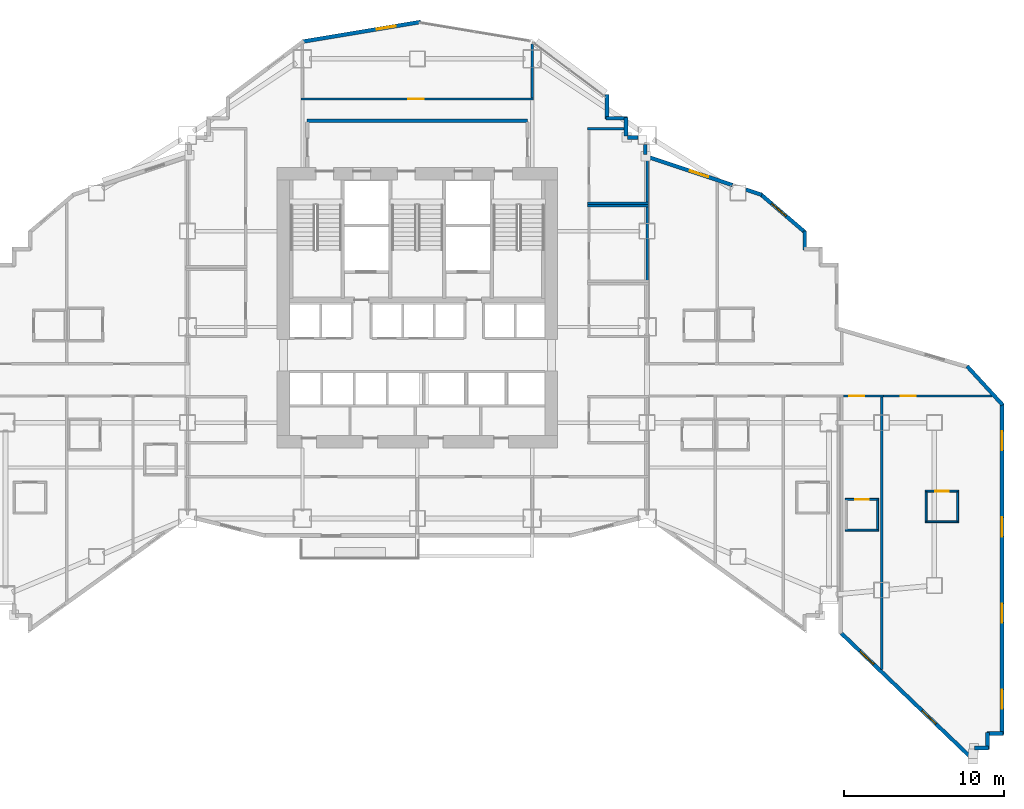
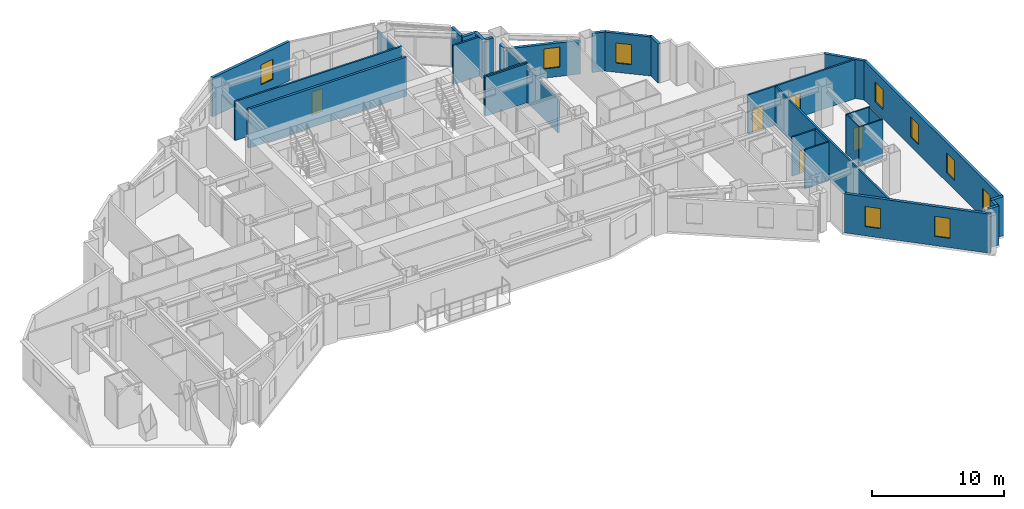
# One storey, part 11 of 17: 34 walls, 9 windows, 5 doors, 14 openings.
"""IFC4 building model written with IfcOpenShell, lengths in metres."""

from ifc_helpers import new_model, si_unit, direction, frame, frame_2d, origin, place, context, subcontext, project, spatial, rectangle, extrude, material, layer, layer_set, type_object, element, fill, save


model = new_model("IFC4")

# Units and contexts
model_context = context("Model", 3, precision=1e-05, world=origin(), true_north=direction((0.0, 1.0)))
body_context = subcontext(model_context, "Body", "Model", "MODEL_VIEW")
ifc_project = project(units=[si_unit("LENGTHUNIT", "METRE"), si_unit("AREAUNIT", "SQUARE_METRE"), si_unit("VOLUMEUNIT", "CUBIC_METRE"), si_unit("PLANEANGLEUNIT", "RADIAN"), si_unit("MASSUNIT", "GRAM", prefix="KILO")], contexts=[model_context])

# Site, building, storey
site_placement = place(None, origin())
site = spatial("IfcSite", under=ifc_project, at=site_placement, CompositionType="ELEMENT")
building_placement = place(site_placement, origin())
building = spatial("IfcBuilding", under=site, at=building_placement, Name="Haolan Belvedere Tower", CompositionType="ELEMENT")
storey_placement = place(building_placement, frame((0.0, 0.0, 55.199951171875)))
storey = spatial("IfcBuildingStorey", under=building, at=storey_placement, Name="L13", CompositionType="ELEMENT", Elevation=55.199951171875)

# Wall, openings, windows
ifc_material_1 = material(Name="Precast concrete C40/50", Category="concrete")
ifc_layer_1 = layer(ifc_material_1, 0.239990234375, Name="Precast concrete C40/50")
ifc_layer_set_1 = layer_set([ifc_layer_1], Name="Precast concrete C40/50")
wall_type_1 = type_object("IfcWallType", Name="WL-EXT-240", PredefinedType="SOLIDWALL", material=ifc_layer_set_1)
wall_1_placement = place(storey_placement, frame((64.977783203125, 14.39599609375, 0.0), z_axis=(0.0, 0.0, 1.0), x_axis=(0.722045918727, -0.691845135308, 0.0)))
wall_1 = element("IfcWall", 1, at=wall_1_placement, inside=storey, type_object=wall_type_1, Name="L13 pale-metal exterior spandrel wall 21.1", PredefinedType="SOLIDWALL", context=body_context, shape_type="SweptSolid", body=[
    extrude(rectangle(XDim=11.35791015625, YDim=0.239990234375, at=frame_2d((5.678955078125, 0.0))), origin(), (0.0, 0.0, 1.0), 3.60009765625),
])
opening_1_placement = place(wall_1_placement, frame((1.60009765625, 0.0, 0.85009765625)))
opening_1 = element("IfcOpeningElement", 2, at=opening_1_placement, cuts=wall_1, Name="Opening W-01", PredefinedType="OPENING", context=body_context, shape_type="SweptSolid", body=[
    extrude(rectangle(XDim=1.199951171875, YDim=1.85009765625, at=frame_2d((0.60009765625, 0.925048828125))), frame((0.0, 0.1298828125, 0.0), z_axis=(0.0, -1.0, 0.0), x_axis=(1.0, 0.0, 0.0)), (0.0, 0.0, 1.0), 0.260009765625),
])
opening_2_placement = place(wall_1_placement, frame((7.0, 0.0, 0.85009765625)))
opening_2 = element("IfcOpeningElement", 3, at=opening_2_placement, cuts=wall_1, Name="Opening W-01", PredefinedType="OPENING", context=body_context, shape_type="SweptSolid", body=[
    extrude(rectangle(XDim=1.199951171875, YDim=1.85009765625, at=frame_2d((0.60009765625, 0.925048828125))), frame((0.0, 0.1298828125, 0.0), z_axis=(0.0, -1.0, 0.0), x_axis=(1.0, 0.0, 0.0)), (0.0, 0.0, 1.0), 0.260009765625),
])
ifc_material_2 = material(Name="Anodised aluminium 6063-T6 and Low-E glass", Category="aluminium")
window_type = type_object("IfcWindowType", Name="WN-DECO-Z1", PartitioningType="SINGLE_PANEL", PredefinedType="WINDOW", material=ifc_material_2)
window_1_placement = place(opening_1_placement, origin())
window_1 = element("IfcWindow", 4, at=window_1_placement, inside=storey, type_object=window_type, Name="L13 Art Deco chevron window 1", OverallHeight=1.85009765625, OverallWidth=1.199951171875, PartitioningType="SINGLE_PANEL", PredefinedType="WINDOW", context=body_context, shape_type="SweptSolid", body=[
    extrude(rectangle(XDim=1.199951171875, YDim=1.85009765625, at=frame_2d((0.60009765625, 0.925048828125))), frame((0.0, 0.030029296875, 0.0), z_axis=(0.0, -1.0, 0.0), x_axis=(1.0, 0.0, 0.0)), (0.0, 0.0, 1.0), 0.06005859375),
])
fill(opening_1, window_1)
window_2_placement = place(opening_2_placement, origin())
window_2 = element("IfcWindow", 5, at=window_2_placement, inside=storey, type_object=window_type, Name="L13 Art Deco chevron window 2", OverallHeight=1.85009765625, OverallWidth=1.199951171875, PartitioningType="SINGLE_PANEL", PredefinedType="WINDOW", context=body_context, shape_type="SweptSolid", body=[
    extrude(rectangle(XDim=1.199951171875, YDim=1.85009765625, at=frame_2d((0.60009765625, 0.925048828125))), frame((0.0, 0.030029296875, 0.0), z_axis=(0.0, -1.0, 0.0), x_axis=(1.0, 0.0, 0.0)), (0.0, 0.0, 1.0), 0.06005859375),
])
fill(opening_2, window_2)

# Walls
wall_2_placement = place(storey_placement, frame((73.324951171875, 7.218017578125, 0.0), z_axis=(0.0, 0.0, 1.0), x_axis=(1.0, 0.0, 0.0)))
element("IfcWall", 6, at=wall_2_placement, inside=storey, type_object=wall_type_1, Name="L13 pale-metal exterior spandrel wall 23.1", PredefinedType="SOLIDWALL", context=body_context, shape_type="SweptSolid", body=[
    extrude(rectangle(XDim=0.8701171875, YDim=0.239990234375, at=frame_2d((0.43505859375, 0.0))), origin(), (0.0, 0.0, 1.0), 3.60009765625),
])
for number, where, z_axis, x_axis, name in (
    (7, (74.139892578125, 7.1630859375, 0.0), (0.0, 0.0, 1.0), (0.0, 1.0, 0.0), "L13 pale-metal exterior spandrel wall 24.1"),
    (8, (74.0849609375, 8.117919921875, 0.0), (0.0, 0.0, 1.0), (1.0, 0.0, 0.0), "L13 pale-metal exterior spandrel wall 25.1"),
):
    element("IfcWall", number, at=place(storey_placement, frame(where, z_axis=z_axis, x_axis=x_axis)), inside=storey, type_object=wall_type_1, Name=name, PredefinedType="SOLIDWALL", context=body_context, shape_type="SweptSolid", body=[
        extrude(rectangle(XDim=1.010009765625, YDim=0.239990234375, at=frame_2d((0.5048828125, 0.0))), origin(), (0.0, 0.0, 1.0), 3.60009765625),
    ])

# Wall, openings, windows
wall_3_placement = place(storey_placement, frame((75.0400390625, 8.06298828125, 0.0), z_axis=(0.0, 0.0, 1.0), x_axis=(0.0, 1.0, 0.0)))
wall_3 = element("IfcWall", 9, at=wall_3_placement, inside=storey, type_object=wall_type_1, Name="L13 pale-metal exterior spandrel wall 26.1", PredefinedType="SOLIDWALL", context=body_context, shape_type="SweptSolid", body=[
    extrude(rectangle(XDim=20.745361328125, YDim=0.239990234375, at=frame_2d((10.37255859375, 0.0))), origin(), (0.0, 0.0, 1.0), 3.60009765625),
])
opening_3_placement = place(wall_3_placement, frame((1.60009765625, 0.0, 0.85009765625)))
opening_3 = element("IfcOpeningElement", 10, at=opening_3_placement, cuts=wall_3, Name="Opening W-01", PredefinedType="OPENING", context=body_context, shape_type="SweptSolid", body=[
    extrude(rectangle(XDim=1.199951171875, YDim=1.85009765625, at=frame_2d((0.60009765625, 0.925048828125))), frame((0.0, 0.1298828125, 0.0), z_axis=(0.0, -1.0, 0.0), x_axis=(1.0, 0.0, 0.0)), (0.0, 0.0, 1.0), 0.260009765625),
])
opening_4_placement = place(wall_3_placement, frame((7.0, 0.0, 0.85009765625)))
opening_4 = element("IfcOpeningElement", 11, at=opening_4_placement, cuts=wall_3, Name="Opening W-01", PredefinedType="OPENING", context=body_context, shape_type="SweptSolid", body=[
    extrude(rectangle(XDim=1.199951171875, YDim=1.85009765625, at=frame_2d((0.60009765625, 0.925048828125))), frame((0.0, 0.1298828125, 0.0), z_axis=(0.0, -1.0, 0.0), x_axis=(1.0, 0.0, 0.0)), (0.0, 0.0, 1.0), 0.260009765625),
])
opening_5_placement = place(wall_3_placement, frame((12.39990234375, 0.0, 0.85009765625)))
opening_5 = element("IfcOpeningElement", 12, at=opening_5_placement, cuts=wall_3, Name="Opening W-01", PredefinedType="OPENING", context=body_context, shape_type="SweptSolid", body=[
    extrude(rectangle(XDim=1.199951171875, YDim=1.85009765625, at=frame_2d((0.60009765625, 0.925048828125))), frame((0.0, 0.1298828125, 0.0), z_axis=(0.0, -1.0, 0.0), x_axis=(1.0, 0.0, 0.0)), (0.0, 0.0, 1.0), 0.260009765625),
])
opening_6_placement = place(wall_3_placement, frame((17.800048828125, 0.0, 0.85009765625)))
opening_6 = element("IfcOpeningElement", 13, at=opening_6_placement, cuts=wall_3, Name="Opening W-01", PredefinedType="OPENING", context=body_context, shape_type="SweptSolid", body=[
    extrude(rectangle(XDim=1.199951171875, YDim=1.85009765625, at=frame_2d((0.60009765625, 0.925048828125))), frame((0.0, 0.1298828125, 0.0), z_axis=(0.0, -1.0, 0.0), x_axis=(1.0, 0.0, 0.0)), (0.0, 0.0, 1.0), 0.260009765625),
])
window_3_placement = place(opening_3_placement, origin())
window_3 = element("IfcWindow", 14, at=window_3_placement, inside=storey, type_object=window_type, Name="L13 Art Deco chevron window 1", OverallHeight=1.85009765625, OverallWidth=1.199951171875, PartitioningType="SINGLE_PANEL", PredefinedType="WINDOW", context=body_context, shape_type="SweptSolid", body=[
    extrude(rectangle(XDim=1.199951171875, YDim=1.85009765625, at=frame_2d((0.60009765625, 0.925048828125))), frame((0.0, 0.030029296875, 0.0), z_axis=(0.0, -1.0, 0.0), x_axis=(1.0, 0.0, 0.0)), (0.0, 0.0, 1.0), 0.06005859375),
])
fill(opening_3, window_3)
window_4_placement = place(opening_4_placement, origin())
window_4 = element("IfcWindow", 15, at=window_4_placement, inside=storey, type_object=window_type, Name="L13 Art Deco chevron window 2", OverallHeight=1.85009765625, OverallWidth=1.199951171875, PartitioningType="SINGLE_PANEL", PredefinedType="WINDOW", context=body_context, shape_type="SweptSolid", body=[
    extrude(rectangle(XDim=1.199951171875, YDim=1.85009765625, at=frame_2d((0.60009765625, 0.925048828125))), frame((0.0, 0.030029296875, 0.0), z_axis=(0.0, -1.0, 0.0), x_axis=(1.0, 0.0, 0.0)), (0.0, 0.0, 1.0), 0.06005859375),
])
fill(opening_4, window_4)
window_5_placement = place(opening_5_placement, origin())
window_5 = element("IfcWindow", 16, at=window_5_placement, inside=storey, type_object=window_type, Name="L13 Art Deco chevron window 3", OverallHeight=1.85009765625, OverallWidth=1.199951171875, PartitioningType="SINGLE_PANEL", PredefinedType="WINDOW", context=body_context, shape_type="SweptSolid", body=[
    extrude(rectangle(XDim=1.199951171875, YDim=1.85009765625, at=frame_2d((0.60009765625, 0.925048828125))), frame((0.0, 0.030029296875, 0.0), z_axis=(0.0, -1.0, 0.0), x_axis=(1.0, 0.0, 0.0)), (0.0, 0.0, 1.0), 0.06005859375),
])
fill(opening_5, window_5)
window_6_placement = place(opening_6_placement, origin())
window_6 = element("IfcWindow", 17, at=window_6_placement, inside=storey, type_object=window_type, Name="L13 Art Deco chevron window 4", OverallHeight=1.85009765625, OverallWidth=1.199951171875, PartitioningType="SINGLE_PANEL", PredefinedType="WINDOW", context=body_context, shape_type="SweptSolid", body=[
    extrude(rectangle(XDim=1.199951171875, YDim=1.85009765625, at=frame_2d((0.60009765625, 0.925048828125))), frame((0.0, 0.030029296875, 0.0), z_axis=(0.0, -1.0, 0.0), x_axis=(1.0, 0.0, 0.0)), (0.0, 0.0, 1.0), 0.06005859375),
])
fill(opening_6, window_6)

# Walls
wall_4_placement = place(storey_placement, frame((75.0771484375, 28.712890625, 0.0), z_axis=(0.0, 0.0, 1.0), x_axis=(-0.675751546976, 0.737129464042, 0.0)))
element("IfcWall", 18, at=wall_4_placement, inside=storey, type_object=wall_type_1, Name="L13 pale-metal exterior spandrel wall 27.1", PredefinedType="SOLIDWALL", context=body_context, shape_type="SweptSolid", body=[
    extrude(rectangle(XDim=3.28564453125, YDim=0.239990234375, at=frame_2d((1.642822265625, 0.0))), origin(), (0.0, 0.0, 1.0), 3.60009765625),
])
wall_5_placement = place(storey_placement, frame((62.679931640625, 38.425048828125, 0.0), z_axis=(0.0, 0.0, 1.0), x_axis=(0.0, 1.0, 0.0)))
element("IfcWall", 19, at=wall_5_placement, inside=storey, type_object=wall_type_1, Name="L13 pale-metal exterior spandrel wall 33.1", PredefinedType="SOLIDWALL", context=body_context, shape_type="SweptSolid", body=[
    extrude(rectangle(XDim=1.1748046875, YDim=0.239990234375, at=frame_2d((0.58740234375, 0.0))), origin(), (0.0, 0.0, 1.0), 3.60009765625),
])

# Wall, opening, window
wall_6_placement = place(storey_placement, frame((62.7216796875, 39.509033203125, 0.0), z_axis=(0.0, 0.0, 1.0), x_axis=(-0.759247334792, 0.650802185469, 0.0)))
wall_6 = element("IfcWall", 20, at=wall_6_placement, inside=storey, type_object=wall_type_1, Name="L13 pale-metal exterior spandrel wall 34.1", PredefinedType="SOLIDWALL", context=body_context, shape_type="SweptSolid", body=[
    extrude(rectangle(XDim=3.71923828125, YDim=0.239990234375, at=frame_2d((1.859619140625, 0.0))), origin(), (0.0, 0.0, 1.0), 3.60009765625),
])
opening_7_placement = place(wall_6_placement, frame((1.60009765625, 0.0, 0.85009765625)))
opening_7 = element("IfcOpeningElement", 21, at=opening_7_placement, cuts=wall_6, Name="Opening W-01", PredefinedType="OPENING", context=body_context, shape_type="SweptSolid", body=[
    extrude(rectangle(XDim=1.199951171875, YDim=1.85009765625, at=frame_2d((0.60009765625, 0.925048828125))), frame((0.0, 0.1298828125, 0.0), z_axis=(0.0, -1.0, 0.0), x_axis=(1.0, 0.0, 0.0)), (0.0, 0.0, 1.0), 0.260009765625),
])
window_7_placement = place(opening_7_placement, origin())
window_7 = element("IfcWindow", 22, at=window_7_placement, inside=storey, type_object=window_type, Name="L13 Art Deco chevron window 1", OverallHeight=1.85009765625, OverallWidth=1.199951171875, PartitioningType="SINGLE_PANEL", PredefinedType="WINDOW", context=body_context, shape_type="SweptSolid", body=[
    extrude(rectangle(XDim=1.199951171875, YDim=1.85009765625, at=frame_2d((0.60009765625, 0.925048828125))), frame((0.0, 0.030029296875, 0.0), z_axis=(0.0, -1.0, 0.0), x_axis=(1.0, 0.0, 0.0)), (0.0, 0.0, 1.0), 0.06005859375),
])
fill(opening_7, window_7)

# Wall
wall_7_placement = place(storey_placement, frame((59.991943359375, 41.876220703125, 0.0), z_axis=(0.0, 0.0, 1.0), x_axis=(-0.948706457285, 0.316158279832, 0.0)))
element("IfcWall", 23, at=wall_7_placement, inside=storey, type_object=wall_type_1, Name="L13 pale-metal exterior spandrel wall 35.1", PredefinedType="SOLIDWALL", context=body_context, shape_type="SweptSolid", body=[
    extrude(rectangle(XDim=1.053955078125, YDim=0.239990234375, at=frame_2d((0.52685546875, 0.0))), origin(), (0.0, 0.0, 1.0), 3.60009765625),
])

# Wall, opening, window
wall_8_placement = place(storey_placement, frame((58.14453125, 42.491943359375, 0.0), z_axis=(0.0, 0.0, 1.0), x_axis=(-0.948683298051, 0.316227766017, 0.0)))
wall_8 = element("IfcWall", 24, at=wall_8_placement, inside=storey, type_object=wall_type_1, Name="L13 pale-metal exterior spandrel wall 35.2", PredefinedType="SOLIDWALL", context=body_context, shape_type="SweptSolid", body=[
    extrude(rectangle(XDim=5.67529296875, YDim=0.239990234375, at=frame_2d((2.837646484375, 0.0))), origin(), (0.0, 0.0, 1.0), 3.09716796875),
])
opening_8_placement = place(wall_8_placement, frame((1.60009765625, 0.0, 0.85009765625)))
opening_8 = element("IfcOpeningElement", 25, at=opening_8_placement, cuts=wall_8, Name="Opening W-01", PredefinedType="OPENING", context=body_context, shape_type="SweptSolid", body=[
    extrude(rectangle(XDim=1.199951171875, YDim=1.85009765625, at=frame_2d((0.60009765625, 0.925048828125))), frame((0.0, 0.1298828125, 0.0), z_axis=(0.0, -1.0, 0.0), x_axis=(1.0, 0.0, 0.0)), (0.0, 0.0, 1.0), 0.260009765625),
])
window_8_placement = place(opening_8_placement, origin())
window_8 = element("IfcWindow", 26, at=window_8_placement, inside=storey, type_object=window_type, Name="L13 Art Deco chevron window 1", OverallHeight=1.85009765625, OverallWidth=1.199951171875, PartitioningType="SINGLE_PANEL", PredefinedType="WINDOW", context=body_context, shape_type="SweptSolid", body=[
    extrude(rectangle(XDim=1.199951171875, YDim=1.85009765625, at=frame_2d((0.60009765625, 0.925048828125))), frame((0.0, 0.030029296875, 0.0), z_axis=(0.0, -1.0, 0.0), x_axis=(1.0, 0.0, 0.0)), (0.0, 0.0, 1.0), 0.06005859375),
])
fill(opening_8, window_8)

# Walls
wall_9_placement = place(storey_placement, frame((52.679931640625, 44.3984375, 0.0), z_axis=(0.0, 0.0, 1.0), x_axis=(0.0, 1.0, 0.0)))
element("IfcWall", 27, at=wall_9_placement, inside=storey, type_object=wall_type_1, Name="L13 pale-metal exterior spandrel wall 36.1", PredefinedType="SOLIDWALL", context=body_context, shape_type="SweptSolid", body=[
    extrude(rectangle(XDim=0.634521484375, YDim=0.239990234375, at=frame_2d((0.3173828125, 0.0))), origin(), (0.0, 0.0, 1.0), 3.09716796875),
])
wall_10_placement = place(storey_placement, frame((52.23291015625, 45.47998046875, 0.0), z_axis=(0.0, 0.0, 1.0), x_axis=(-1.0, 0.0, 0.0)))
element("IfcWall", 28, at=wall_10_placement, inside=storey, type_object=wall_type_1, Name="L13 pale-metal exterior spandrel wall 37.1", PredefinedType="SOLIDWALL", context=body_context, shape_type="SweptSolid", body=[
    extrude(rectangle(XDim=0.66796875, YDim=0.239990234375, at=frame_2d((0.333984375, 0.0))), origin(), (0.0, 0.0, 1.0), 3.60009765625),
])
wall_11_placement = place(storey_placement, frame((51.47998046875, 45.56494140625, 0.0), z_axis=(0.0, 0.0, 1.0), x_axis=(0.0, 1.0, 0.0)))
element("IfcWall", 29, at=wall_11_placement, inside=storey, type_object=wall_type_1, Name="L13 pale-metal exterior spandrel wall 38.1", PredefinedType="SOLIDWALL", context=body_context, shape_type="SweptSolid", body=[
    extrude(rectangle(XDim=1.170166015625, YDim=0.239990234375, at=frame_2d((0.5849609375, 0.0))), origin(), (0.0, 0.0, 1.0), 3.60009765625),
])
wall_12_placement = place(storey_placement, frame((51.534912109375, 46.679931640625, 0.0), z_axis=(0.0, 0.0, 1.0), x_axis=(-1.0, 0.0, 0.0)))
element("IfcWall", 30, at=wall_12_placement, inside=storey, type_object=wall_type_1, Name="L13 pale-metal exterior spandrel wall 39.1", PredefinedType="SOLIDWALL", context=body_context, shape_type="SweptSolid", body=[
    extrude(rectangle(XDim=1.309814453125, YDim=0.239990234375, at=frame_2d((0.65478515625, 0.0))), origin(), (0.0, 0.0, 1.0), 3.60009765625),
])
wall_13_placement = place(storey_placement, frame((50.280029296875, 46.625, 0.0), z_axis=(0.0, 0.0, 1.0), x_axis=(0.0, 1.0, 0.0)))
element("IfcWall", 31, at=wall_13_placement, inside=storey, type_object=wall_type_1, Name="L13 pale-metal exterior spandrel wall 40.1", PredefinedType="SOLIDWALL", context=body_context, shape_type="SweptSolid", body=[
    extrude(rectangle(XDim=1.5400390625, YDim=0.239990234375, at=frame_2d((0.77001953125, 0.0))), origin(), (0.0, 0.0, 1.0), 3.60009765625),
])

# Wall, opening, window
wall_14_placement = place(storey_placement, frame((38.621826171875, 52.71533203125, 0.0), z_axis=(0.0, 0.0, 1.0), x_axis=(-0.98639129485, -0.164414760418, 0.0)))
wall_14 = element("IfcWall", 32, at=wall_14_placement, inside=storey, type_object=wall_type_1, Name="L13 pale-metal exterior spandrel wall 43.1", PredefinedType="SOLIDWALL", context=body_context, shape_type="SweptSolid", body=[
    extrude(rectangle(XDim=7.530029296875, YDim=0.239990234375, at=frame_2d((3.76513671875, 0.0))), origin(), (0.0, 0.0, 1.0), 3.60009765625),
])
opening_9_placement = place(wall_14_placement, frame((1.60009765625, 0.0, 0.85009765625)))
opening_9 = element("IfcOpeningElement", 33, at=opening_9_placement, cuts=wall_14, Name="Opening W-01", PredefinedType="OPENING", context=body_context, shape_type="SweptSolid", body=[
    extrude(rectangle(XDim=1.199951171875, YDim=1.85009765625, at=frame_2d((0.60009765625, 0.925048828125))), frame((0.0, 0.1298828125, 0.0), z_axis=(0.0, -1.0, 0.0), x_axis=(1.0, 0.0, 0.0)), (0.0, 0.0, 1.0), 0.260009765625),
])
window_9_placement = place(opening_9_placement, origin())
window_9 = element("IfcWindow", 34, at=window_9_placement, inside=storey, type_object=window_type, Name="L13 Art Deco chevron window 1", OverallHeight=1.85009765625, OverallWidth=1.199951171875, PartitioningType="SINGLE_PANEL", PredefinedType="WINDOW", context=body_context, shape_type="SweptSolid", body=[
    extrude(rectangle(XDim=1.199951171875, YDim=1.85009765625, at=frame_2d((0.60009765625, 0.925048828125))), frame((0.0, 0.030029296875, 0.0), z_axis=(0.0, -1.0, 0.0), x_axis=(1.0, 0.0, 0.0)), (0.0, 0.0, 1.0), 0.06005859375),
])
fill(opening_9, window_9)

# Walls
ifc_material_3 = material(Name="Concrete C40/50", Category="concrete")
ifc_layer_2 = layer(ifc_material_3, 0.199951171875, Name="Concrete C40/50")
ifc_layer_set_2 = layer_set([ifc_layer_2], Name="Concrete C40/50")
wall_type_2 = type_object("IfcWallType", Name="WL-FIRE-200", PredefinedType="SOLIDWALL", material=ifc_layer_set_2)
wall_15_placement = place(storey_placement, frame((31.5, 46.52001953125, 0.0), z_axis=(0.0, 0.0, 1.0), x_axis=(1.0, 0.0, 0.0)))
element("IfcWall", 35, at=wall_15_placement, inside=storey, type_object=wall_type_2, Name="L13 interior partition IW-L13-FFL-N", PredefinedType="SOLIDWALL", context=body_context, shape_type="SweptSolid", body=[
    extrude(rectangle(XDim=13.800048828125, YDim=0.199951171875, at=frame_2d((6.89990234375, 0.0))), origin(), (0.0, 0.0, 1.0), 3.60009765625),
])
ifc_material_4 = material(Name="Double gypsum acoustic stud partition", Category="masonry")
ifc_layer_3 = layer(ifc_material_4, 0.14990234375, Name="Double gypsum acoustic stud partition")
ifc_layer_set_3 = layer_set([ifc_layer_3], Name="Double gypsum acoustic stud partition")
wall_type_3 = type_object("IfcWallType", Name="WL-PART-150", PredefinedType="PARTITIONING", material=ifc_layer_set_3)
wall_16_placement = place(storey_placement, frame((49.080078125, 41.199951171875, 0.0), z_axis=(0.0, 0.0, 1.0), x_axis=(1.0, 0.0, 0.0)))
element("IfcWall", 36, at=wall_16_placement, inside=storey, type_object=wall_type_3, Name="L13 interior partition IW-L13-STY-N", PredefinedType="PARTITIONING", context=body_context, shape_type="SweptSolid", body=[
    extrude(rectangle(XDim=3.7998046875, YDim=0.14990234375, at=frame_2d((1.89990234375, 0.0))), origin(), (0.0, 0.0, 1.0), 3.60009765625),
])
wall_17_placement = place(storey_placement, frame((52.800048828125, 36.52001953125, 0.0), z_axis=(0.0, 0.0, 1.0), x_axis=(0.0, 1.0, 0.0)))
element("IfcWall", 37, at=wall_17_placement, inside=storey, type_object=wall_type_3, Name="L13 interior partition IW-L13-STY-E", PredefinedType="PARTITIONING", context=body_context, shape_type="SweptSolid", body=[
    extrude(rectangle(XDim=4.619873046875, YDim=0.14990234375, at=frame_2d((2.31005859375, 0.0))), origin(), (0.0, 0.0, 1.0), 3.09716796875),
])
wall_18_placement = place(storey_placement, frame((49.080078125, 46.02001953125, 0.0), z_axis=(0.0, 0.0, 1.0), x_axis=(1.0, 0.0, 0.0)))
element("IfcWall", 38, at=wall_18_placement, inside=storey, type_object=wall_type_3, Name="L13 interior partition IW-L13-PNT-N", PredefinedType="PARTITIONING", context=body_context, shape_type="SweptSolid", body=[
    extrude(rectangle(XDim=2.294921875, YDim=0.14990234375, at=frame_2d((1.1474609375, 0.0))), origin(), (0.0, 0.0, 1.0), 3.60009765625),
])
wall_19_placement = place(storey_placement, frame((49.080078125, 41.360107421875, 0.0), z_axis=(0.0, 0.0, 1.0), x_axis=(1.0, 0.0, 0.0)))
element("IfcWall", 39, at=wall_19_placement, inside=storey, type_object=wall_type_3, Name="L13 interior partition IW-L13-PNT-S", PredefinedType="PARTITIONING", context=body_context, shape_type="SweptSolid", body=[
    extrude(rectangle(XDim=3.7998046875, YDim=0.14990234375, at=frame_2d((1.89990234375, 0.0))), origin(), (0.0, 0.0, 1.0), 3.60009765625),
])
wall_20_placement = place(storey_placement, frame((52.800048828125, 41.419921875, 0.0), z_axis=(0.0, 0.0, 1.0), x_axis=(0.0, 1.0, 0.0)))
element("IfcWall", 40, at=wall_20_placement, inside=storey, type_object=wall_type_3, Name="L13 interior partition IW-L13-PNT-E", PredefinedType="PARTITIONING", context=body_context, shape_type="SweptSolid", body=[
    extrude(rectangle(XDim=2.742919921875, YDim=0.14990234375, at=frame_2d((1.37158203125, 0.0))), origin(), (0.0, 0.0, 1.0), 3.09716796875),
])

# Wall, opening, door
wall_21_placement = place(storey_placement, frame((31.1201171875, 47.8798828125, 0.0), z_axis=(0.0, 0.0, 1.0), x_axis=(1.0, 0.0, 0.0)))
wall_21 = element("IfcWall", 41, at=wall_21_placement, inside=storey, type_object=wall_type_3, Name="L13 interior partition IW-L13-KN2-S", PredefinedType="PARTITIONING", context=body_context, shape_type="SweptSolid", body=[
    extrude(rectangle(XDim=14.559814453125, YDim=0.14990234375, at=frame_2d((7.27978515625, 0.0))), origin(), (0.0, 0.0, 1.0), 3.60009765625),
])
opening_10_placement = place(wall_21_placement, frame((6.72509765625, 0.0, 0.0)))
opening_10 = element("IfcOpeningElement", 42, at=opening_10_placement, cuts=wall_21, Name="Opening ID-03", PredefinedType="OPENING", context=body_context, shape_type="SweptSolid", body=[
    extrude(rectangle(XDim=0.949951171875, YDim=2.1201171875, at=frame_2d((0.47509765625, 1.06005859375))), frame((0.0, 0.0849609375, 0.0), z_axis=(0.0, -1.0, 0.0), x_axis=(1.0, 0.0, 0.0)), (0.0, 0.0, 1.0), 0.169921875),
])
ifc_material_5 = material(Name="Painted solid-core timber", Category="wood")
door_type_1 = type_object("IfcDoorType", Name="DR-INT-950", OperationType="NOTDEFINED", PredefinedType="DOOR", material=ifc_material_5)
door_1_placement = place(opening_10_placement, origin())
door_1 = element("IfcDoor", 43, at=door_1_placement, inside=storey, type_object=door_type_1, Name="L13 door ID-L13-KN2", OperationType="SINGLE_SWING_LEFT", OverallHeight=2.1201171875, OverallWidth=0.949951171875, PredefinedType="DOOR", context=body_context, shape_type="SweptSolid", body=[
    extrude(rectangle(XDim=0.949951171875, YDim=2.1201171875, at=frame_2d((0.47509765625, 1.06005859375))), frame((0.0, 0.02490234375, 0.0), z_axis=(0.0, -1.0, 0.0), x_axis=(1.0, 0.0, 0.0)), (0.0, 0.0, 1.0), 0.050048828125),
])
fill(opening_10, door_1)

# Wall
wall_22_placement = place(storey_placement, frame((45.60009765625, 47.93994140625, 0.0), z_axis=(0.0, 0.0, 1.0), x_axis=(0.0, 1.0, 0.0)))
element("IfcWall", 44, at=wall_22_placement, inside=storey, type_object=wall_type_3, Name="L13 interior partition IW-L13-KN2-E", PredefinedType="PARTITIONING", context=body_context, shape_type="SweptSolid", body=[
    extrude(rectangle(XDim=3.39501953125, YDim=0.14990234375, at=frame_2d((1.697509765625, 0.0))), origin(), (0.0, 0.0, 1.0), 2.985107421875),
])

# Wall, opening, door
wall_23_placement = place(storey_placement, frame((65.10205078125, 29.27001953125, 0.0), z_axis=(0.0, 0.0, 1.0), x_axis=(1.0, 0.0, 0.0)))
wall_23 = element("IfcWall", 45, at=wall_23_placement, inside=storey, type_object=wall_type_3, Name="L13 interior partition IW-L13-T5S1-N", PredefinedType="PARTITIONING", context=body_context, shape_type="SweptSolid", body=[
    extrude(rectangle(XDim=2.498046875, YDim=0.14990234375, at=frame_2d((1.2490234375, 0.0))), origin(), (0.0, 0.0, 1.0), 3.60009765625),
])
opening_11_placement = place(wall_23_placement, frame((1.311767578125, 0.0, 0.0), z_axis=(0.0, 0.0, 1.0), x_axis=(-1.0, 0.0, 0.0)))
opening_11 = element("IfcOpeningElement", 46, at=opening_11_placement, cuts=wall_23, Name="Opening ID-02", PredefinedType="OPENING", context=body_context, shape_type="SweptSolid", body=[
    extrude(rectangle(XDim=0.949951171875, YDim=2.14990234375, at=frame_2d((0.47509765625, 1.074951171875))), frame((0.0, 0.0849609375, 0.0), z_axis=(0.0, -1.0, 0.0), x_axis=(1.0, 0.0, 0.0)), (0.0, 0.0, 1.0), 0.169921875),
])
ifc_material_6 = material(Name="Acoustic oak veneer fire-rated timber", Category="wood")
door_type_2 = type_object("IfcDoorType", Name="DR-GUEST-950", OperationType="NOTDEFINED", PredefinedType="DOOR", material=ifc_material_6)
door_2_placement = place(opening_11_placement, origin())
door_2 = element("IfcDoor", 47, at=door_2_placement, inside=storey, type_object=door_type_2, Name="L13 door ID-L13-T5S1-ENT", OperationType="SINGLE_SWING_RIGHT", OverallHeight=2.14990234375, OverallWidth=0.949951171875, PredefinedType="DOOR", context=body_context, shape_type="SweptSolid", body=[
    extrude(rectangle(XDim=0.949951171875, YDim=2.14990234375, at=frame_2d((0.47509765625, 1.074951171875))), frame((0.0, 0.02490234375, 0.0), z_axis=(0.0, -1.0, 0.0), x_axis=(1.0, 0.0, 0.0)), (0.0, 0.0, 1.0), 0.050048828125),
])
fill(opening_11, door_2)

# Wall
wall_24_placement = place(storey_placement, frame((67.5, 12.12451171875, 0.0), z_axis=(0.0, 0.0, 1.0), x_axis=(0.0, 1.0, 0.0)))
element("IfcWall", 48, at=wall_24_placement, inside=storey, type_object=wall_type_3, Name="L13 interior partition IW-L13-T5S1-E", PredefinedType="PARTITIONING", context=body_context, shape_type="SweptSolid", body=[
    extrude(rectangle(XDim=17.08544921875, YDim=0.14990234375, at=frame_2d((8.542724609375, 0.0))), origin(), (0.0, 0.0, 1.0), 3.60009765625),
])

# Wall, opening, door
wall_25_placement = place(storey_placement, frame((67.60205078125, 29.27001953125, 0.0), z_axis=(0.0, 0.0, 1.0), x_axis=(1.0, 0.0, 0.0)))
wall_25 = element("IfcWall", 49, at=wall_25_placement, inside=storey, type_object=wall_type_3, Name="L13 interior partition IW-L13-T5S2-N", PredefinedType="PARTITIONING", context=body_context, shape_type="SweptSolid", body=[
    extrude(rectangle(XDim=6.822021484375, YDim=0.14990234375, at=frame_2d((3.4111328125, 0.0))), origin(), (0.0, 0.0, 1.0), 3.60009765625),
])
opening_12_placement = place(wall_25_placement, frame((2.045166015625, 0.0, 0.0), z_axis=(0.0, 0.0, 1.0), x_axis=(-1.0, 0.0, 0.0)))
opening_12 = element("IfcOpeningElement", 50, at=opening_12_placement, cuts=wall_25, Name="Opening ID-01", PredefinedType="OPENING", context=body_context, shape_type="SweptSolid", body=[
    extrude(rectangle(XDim=0.949951171875, YDim=2.179931640625, at=frame_2d((0.47509765625, 1.08984375))), frame((0.0, 0.0849609375, 0.0), z_axis=(0.0, -1.0, 0.0), x_axis=(1.0, 0.0, 0.0)), (0.0, 0.0, 1.0), 0.169921875),
])
ifc_material_7 = material(Name="Acoustic walnut veneer fire-rated timber", Category="wood")
door_type_3 = type_object("IfcDoorType", Name="DR-SUITE-950", OperationType="NOTDEFINED", PredefinedType="DOOR", material=ifc_material_7)
door_3_placement = place(opening_12_placement, origin())
door_3 = element("IfcDoor", 51, at=door_3_placement, inside=storey, type_object=door_type_3, Name="L13 door ID-L13-T5S2-ENT", OperationType="SINGLE_SWING_LEFT", OverallHeight=2.179931640625, OverallWidth=0.949951171875, PredefinedType="DOOR", context=body_context, shape_type="SweptSolid", body=[
    extrude(rectangle(XDim=0.949951171875, YDim=2.179931640625, at=frame_2d((0.47509765625, 1.08984375))), frame((0.0, 0.02490234375, 0.0), z_axis=(0.0, -1.0, 0.0), x_axis=(1.0, 0.0, 0.0)), (0.0, 0.0, 1.0), 0.050048828125),
])
fill(opening_12, door_3)

ifc_material_8 = material(Name="Moisture-resistant gypsum tile partition", Category="masonry")
ifc_layer_4 = layer(ifc_material_8, 0.1201171875, Name="Moisture-resistant gypsum tile partition")
ifc_layer_set_4 = layer_set([ifc_layer_4], Name="Moisture-resistant gypsum tile partition")
wall_type_4 = type_object("IfcWallType", Name="WL-WET-120", PredefinedType="PARTITIONING", material=ifc_layer_set_4)
wall_26_placement = place(storey_placement, frame((65.20703125, 22.7890625, 0.0), z_axis=(0.0, 0.0, 1.0), x_axis=(1.0, 0.0, 0.0)))
wall_26 = element("IfcWall", 52, at=wall_26_placement, inside=storey, type_object=wall_type_4, Name="L13 interior partition IW-L13-T5S1-BN", PredefinedType="PARTITIONING", context=body_context, shape_type="SweptSolid", body=[
    extrude(rectangle(XDim=2.099853515625, YDim=0.1201171875, at=frame_2d((1.0498046875, 0.0))), origin(), (0.0, 0.0, 1.0), 3.60009765625),
])
opening_13_placement = place(wall_26_placement, frame((1.47509765625, 0.0, 0.0), z_axis=(0.0, 0.0, 1.0), x_axis=(-1.0, 0.0, 0.0)))
opening_13 = element("IfcOpeningElement", 53, at=opening_13_placement, cuts=wall_26, Name="Opening ID-05", PredefinedType="OPENING", context=body_context, shape_type="SweptSolid", body=[
    extrude(rectangle(XDim=0.85009765625, YDim=2.10009765625, at=frame_2d((0.425048828125, 1.050048828125))), frame((0.0, 0.070068359375, 0.0), z_axis=(0.0, -1.0, 0.0), x_axis=(1.0, 0.0, 0.0)), (0.0, 0.0, 1.0), 0.14013671875),
])
ifc_material_9 = material(Name="Moisture-resistant lacquered timber", Category="wood")
door_type_4 = type_object("IfcDoorType", Name="DR-BATH-850", OperationType="NOTDEFINED", PredefinedType="DOOR", material=ifc_material_9)
door_4_placement = place(opening_13_placement, origin())
door_4 = element("IfcDoor", 54, at=door_4_placement, inside=storey, type_object=door_type_4, Name="L13 door ID-L13-T5S1-BATH", OperationType="SINGLE_SWING_LEFT", OverallHeight=2.10009765625, OverallWidth=0.85009765625, PredefinedType="DOOR", context=body_context, shape_type="SweptSolid", body=[
    extrude(rectangle(XDim=0.85009765625, YDim=2.10009765625, at=frame_2d((0.425048828125, 1.050048828125))), frame((0.0, 0.02490234375, 0.0), z_axis=(0.0, -1.0, 0.0), x_axis=(1.0, 0.0, 0.0)), (0.0, 0.0, 1.0), 0.050048828125),
])
fill(opening_13, door_4)

# Walls
wall_27_placement = place(storey_placement, frame((65.20703125, 20.868896484375, 0.0), z_axis=(0.0, 0.0, 1.0), x_axis=(1.0, 0.0, 0.0)))
element("IfcWall", 55, at=wall_27_placement, inside=storey, type_object=wall_type_4, Name="L13 interior partition IW-L13-T5S1-BS", PredefinedType="PARTITIONING", context=body_context, shape_type="SweptSolid", body=[
    extrude(rectangle(XDim=2.099853515625, YDim=0.1201171875, at=frame_2d((1.0498046875, 0.0))), origin(), (0.0, 0.0, 1.0), 3.60009765625),
])
wall_28_placement = place(storey_placement, frame((67.2470703125, 20.9140625, 0.0), z_axis=(0.0, 0.0, 1.0), x_axis=(0.0, 1.0, 0.0)))
element("IfcWall", 56, at=wall_28_placement, inside=storey, type_object=wall_type_4, Name="L13 interior partition IW-L13-T5S1-BE", PredefinedType="PARTITIONING", context=body_context, shape_type="SweptSolid", body=[
    extrude(rectangle(XDim=1.829833984375, YDim=0.1201171875, at=frame_2d((0.9150390625, 0.0))), origin(), (0.0, 0.0, 1.0), 3.60009765625),
])

# Wall, opening, door
wall_29_placement = place(storey_placement, frame((70.222900390625, 23.31005859375, 0.0), z_axis=(0.0, 0.0, 1.0), x_axis=(1.0, 0.0, 0.0)))
wall_29 = element("IfcWall", 57, at=wall_29_placement, inside=storey, type_object=wall_type_4, Name="L13 interior partition IW-L13-T5S2-BN", PredefinedType="PARTITIONING", context=body_context, shape_type="SweptSolid", body=[
    extrude(rectangle(XDim=2.10009765625, YDim=0.1201171875, at=frame_2d((1.050048828125, 0.0))), origin(), (0.0, 0.0, 1.0), 3.60009765625),
])
opening_14_placement = place(wall_29_placement, frame((1.47509765625, 0.0, 0.0), z_axis=(0.0, 0.0, 1.0), x_axis=(-1.0, 0.0, 0.0)))
opening_14 = element("IfcOpeningElement", 58, at=opening_14_placement, cuts=wall_29, Name="Opening ID-05", PredefinedType="OPENING", context=body_context, shape_type="SweptSolid", body=[
    extrude(rectangle(XDim=0.85009765625, YDim=2.10009765625, at=frame_2d((0.425048828125, 1.050048828125))), frame((0.0, 0.070068359375, 0.0), z_axis=(0.0, -1.0, 0.0), x_axis=(1.0, 0.0, 0.0)), (0.0, 0.0, 1.0), 0.14013671875),
])
door_5_placement = place(opening_14_placement, origin())
door_5 = element("IfcDoor", 59, at=door_5_placement, inside=storey, type_object=door_type_4, Name="L13 door ID-L13-T5S2-BATH", OperationType="SINGLE_SWING_RIGHT", OverallHeight=2.10009765625, OverallWidth=0.85009765625, PredefinedType="DOOR", context=body_context, shape_type="SweptSolid", body=[
    extrude(rectangle(XDim=0.85009765625, YDim=2.10009765625, at=frame_2d((0.425048828125, 1.050048828125))), frame((0.0, 0.02490234375, 0.0), z_axis=(0.0, -1.0, 0.0), x_axis=(1.0, 0.0, 0.0)), (0.0, 0.0, 1.0), 0.050048828125),
])
fill(opening_14, door_5)

# Walls
wall_30_placement = place(storey_placement, frame((70.222900390625, 21.389892578125, 0.0), z_axis=(0.0, 0.0, 1.0), x_axis=(1.0, 0.0, 0.0)))
element("IfcWall", 60, at=wall_30_placement, inside=storey, type_object=wall_type_4, Name="L13 interior partition IW-L13-T5S2-BS", PredefinedType="PARTITIONING", context=body_context, shape_type="SweptSolid", body=[
    extrude(rectangle(XDim=2.10009765625, YDim=0.1201171875, at=frame_2d((1.050048828125, 0.0))), origin(), (0.0, 0.0, 1.0), 3.60009765625),
])
for number, where, z_axis, x_axis, name in (
    (61, (70.282958984375, 21.43505859375, 0.0), (0.0, 0.0, 1.0), (0.0, 1.0, 0.0), "L13 interior partition IW-L13-T5S2-BW"),
    (62, (72.262939453125, 21.43505859375, 0.0), (0.0, 0.0, 1.0), (0.0, 1.0, 0.0), "L13 interior partition IW-L13-T5S2-BE"),
):
    element("IfcWall", number, at=place(storey_placement, frame(where, z_axis=z_axis, x_axis=x_axis)), inside=storey, type_object=wall_type_4, Name=name, PredefinedType="PARTITIONING", context=body_context, shape_type="SweptSolid", body=[
        extrude(rectangle(XDim=1.829833984375, YDim=0.1201171875, at=frame_2d((0.9150390625, 0.0))), origin(), (0.0, 0.0, 1.0), 3.60009765625),
    ])

save(model, "model.ifc")
